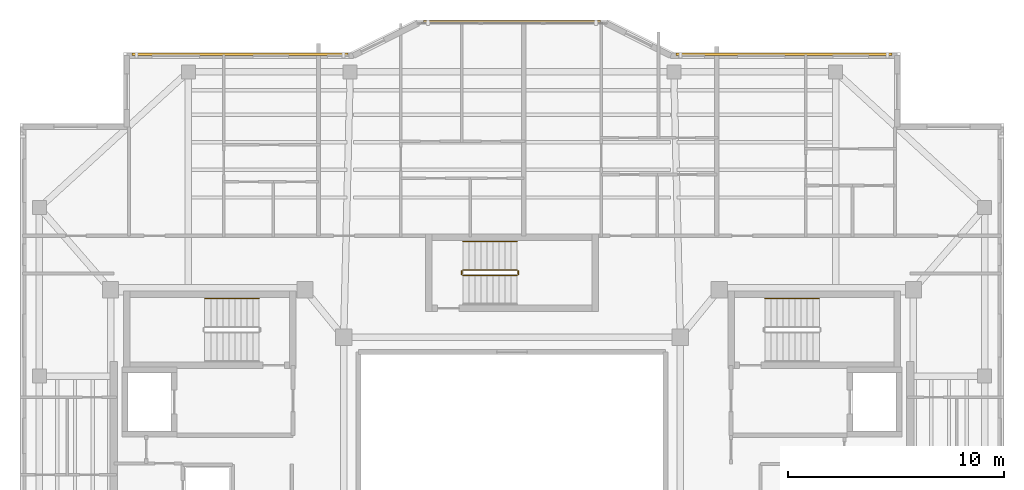
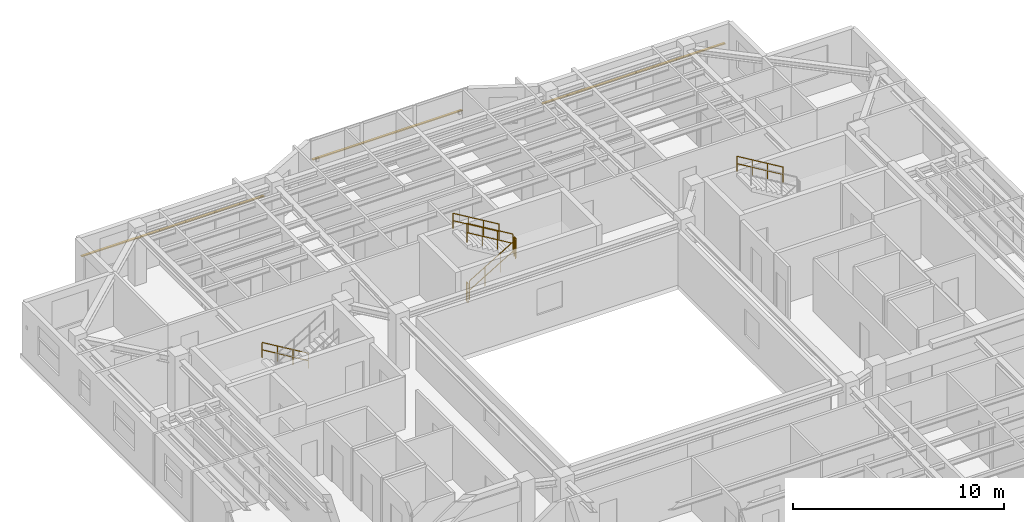
# One storey, part 15 of 15: 7 railings, 3 shading devices.
"""IFC4 building model written with IfcOpenShell, lengths in metres."""

from ifc_helpers import new_model, si_unit, direction, frame, origin, origin_2d, place, context, subcontext, project, spatial, rectangle, circle, extrude, material, material_profile, profile_set, type_object, element, save


model = new_model("IFC4")

# Units and contexts
model_context = context("Model", 3, precision=1e-05, world=origin(), true_north=direction((0.0, 1.0)))
body_context = subcontext(model_context, "Body", "Model", "MODEL_VIEW")
ifc_project = project(units=[si_unit("LENGTHUNIT", "METRE"), si_unit("AREAUNIT", "SQUARE_METRE"), si_unit("VOLUMEUNIT", "CUBIC_METRE"), si_unit("PLANEANGLEUNIT", "RADIAN"), si_unit("MASSUNIT", "GRAM", prefix="KILO")], contexts=[model_context])

# Site, building, storey
site_placement = place(None, origin())
site = spatial("IfcSite", under=ifc_project, at=site_placement, CompositionType="ELEMENT")
building_placement = place(site_placement, origin())
building = spatial("IfcBuilding", under=site, at=building_placement, Name="Tarnavaz Court Tower", CompositionType="ELEMENT")
storey_placement = place(building_placement, frame((0.0, 0.0, 268.300048828125)))
storey = spatial("IfcBuildingStorey", under=building, at=storey_placement, Name="L73", CompositionType="ELEMENT", Elevation=268.300048828125)

# Railings
ifc_material_1 = material(Name="Brushed Stainless Steel", Category="steel")
railing_type_1 = type_object("IfcRailingType", Name="RL-HANDRAIL-900", PredefinedType="HANDRAIL", material=ifc_material_1)
railing_1_placement = place(storey_placement, frame((-11.719970703125, 9.590087890625, 0.16748046875)))
element("IfcRailing", 1, at=railing_1_placement, inside=storey, type_object=railing_type_1, Name="L73 ST-W1 stair handrail 1", PredefinedType="HANDRAIL", context=body_context, shape_type="SweptSolid", body=[
    extrude(circle(Radius=0.02392578125, at=origin_2d()), frame((0.0, 0.0, 0.8759765625), z_axis=(-0.858159760407, 0.0, 0.513382728203), x_axis=(0.0, -1.0, 0.0)), (0.0, 0.0, 1.0), 2.9365234375),
    extrude(circle(Radius=0.02392578125, at=origin_2d()), frame((0.0, 0.0, 0.449951171875), z_axis=(-0.858159760407, 0.0, 0.513382728203), x_axis=(0.0, -1.0, 0.0)), (0.0, 0.0, 1.0), 2.9365234375),
    extrude(circle(Radius=0.02099609375, at=origin_2d()), origin(), (0.0, 0.0, 1.0), 0.851806640625),
    extrude(circle(Radius=0.02099609375, at=origin_2d()), frame((-0.840087890625, 0.0, 0.50244140625)), (0.0, 0.0, 1.0), 0.851806640625),
    extrude(circle(Radius=0.02099609375, at=origin_2d()), frame((-1.679931640625, 0.0, 1.005126953125)), (0.0, 0.0, 1.0), 0.851806640625),
    extrude(circle(Radius=0.02099609375, at=origin_2d()), frame((-2.52001953125, 0.0, 1.507568359375)), (0.0, 0.0, 1.0), 0.851806640625),
])
for number, where, name in (
    (2, (14.239990234375, 9.590087890625, 1.842529296875), "L73 ST-E1 stair handrail 2"),
    (3, (0.239990234375, 12.239990234375, 1.842529296875), "L73 ST-N1 stair handrail 2"),
):
    element("IfcRailing", number, at=place(storey_placement, frame(where)), inside=storey, type_object=railing_type_1, Name=name, PredefinedType="HANDRAIL", context=body_context, shape_type="SweptSolid", body=[
        extrude(circle(Radius=0.02392578125, at=origin_2d()), frame((0.0, 0.0, 0.8759765625), z_axis=(-0.858196387827, 0.0, 0.513321497621), x_axis=(0.0, -1.0, 0.0)), (0.0, 0.0, 1.0), 2.9365234375),
        extrude(circle(Radius=0.02392578125, at=origin_2d()), frame((0.0, 0.0, 0.449951171875), z_axis=(-0.858196387827, 0.0, 0.513321497621), x_axis=(0.0, -1.0, 0.0)), (0.0, 0.0, 1.0), 2.9365234375),
        extrude(circle(Radius=0.02099609375, at=origin_2d()), origin(), (0.0, 0.0, 1.0), 0.851806640625),
        extrude(circle(Radius=0.02099609375, at=origin_2d()), frame((-0.840087890625, 0.0, 0.50244140625)), (0.0, 0.0, 1.0), 0.851806640625),
        extrude(circle(Radius=0.02099609375, at=origin_2d()), frame((-1.679931640625, 0.0, 1.0048828125)), (0.0, 0.0, 1.0), 0.851806640625),
        extrude(circle(Radius=0.02099609375, at=origin_2d()), frame((-2.52001953125, 0.0, 1.50732421875)), (0.0, 0.0, 1.0), 0.851806640625),
    ])
ifc_material_2 = material(Name="Galvanized Painted Tubular Steel", Category="steel")
railing_type_2 = type_object("IfcRailingType", Name="RL-STGUARD-1120", PredefinedType="GUARDRAIL", material=ifc_material_2)
railing_2_placement = place(storey_placement, frame((-2.280029296875, 10.669921875, 0.16748046875)))
element("IfcRailing", 4, at=railing_2_placement, inside=storey, type_object=railing_type_2, Name="L73 ST-N1 stair guard 1", PredefinedType="GUARDRAIL", context=body_context, shape_type="SweptSolid", body=[
    extrude(circle(Radius=0.02392578125, at=origin_2d()), frame((0.0, 0.0, 1.09619140625), z_axis=(0.858159760407, 0.0, 0.513382728203), x_axis=(0.0, 1.0, 0.0)), (0.0, 0.0, 1.0), 2.9365234375),
    extrude(circle(Radius=0.02392578125, at=origin_2d()), frame((0.0, 0.0, 0.56005859375), z_axis=(0.858159760407, 0.0, 0.513382728203), x_axis=(0.0, 1.0, 0.0)), (0.0, 0.0, 1.0), 2.9365234375),
    extrude(circle(Radius=0.02099609375, at=origin_2d()), origin(), (0.0, 0.0, 1.0), 1.072021484375),
    extrude(circle(Radius=0.02099609375, at=origin_2d()), frame((0.840087890625, 0.0, 0.50244140625)), (0.0, 0.0, 1.0), 1.072021484375),
    extrude(circle(Radius=0.02099609375, at=origin_2d()), frame((1.679931640625, 0.0, 1.005126953125)), (0.0, 0.0, 1.0), 1.072021484375),
    extrude(circle(Radius=0.02099609375, at=origin_2d()), frame((2.52001953125, 0.0, 1.507568359375)), (0.0, 0.0, 1.0), 1.072021484375),
])
railing_3_placement = place(storey_placement, frame((0.2900390625, 10.719970703125, 1.675048828125)))
element("IfcRailing", 5, at=railing_3_placement, inside=storey, type_object=railing_type_2, Name="L73 ST-N1 stair guard 2", PredefinedType="GUARDRAIL", context=body_context, shape_type="SweptSolid", body=[
    extrude(circle(Radius=0.02392578125, at=origin_2d()), frame((0.0, 0.0, 1.09619140625), z_axis=(0.0, 1.0, 0.0), x_axis=(-1.0, 0.0, 0.0)), (0.0, 0.0, 1.0), 0.150146484375),
    extrude(circle(Radius=0.02392578125, at=origin_2d()), frame((0.0, 0.0, 0.56005859375), z_axis=(0.0, 1.0, 0.0), x_axis=(-1.0, 0.0, 0.0)), (0.0, 0.0, 1.0), 0.150146484375),
    extrude(circle(Radius=0.02099609375, at=origin_2d()), origin(), (0.0, 0.0, 1.0), 1.072021484375),
    extrude(circle(Radius=0.02099609375, at=origin_2d()), frame((0.0, 0.150146484375, 0.0)), (0.0, 0.0, 1.0), 1.072021484375),
])
railing_4_placement = place(storey_placement, frame((0.239990234375, 10.919921875, 1.842529296875)))
element("IfcRailing", 6, at=railing_4_placement, inside=storey, type_object=railing_type_2, Name="L73 ST-N1 stair guard 3", PredefinedType="GUARDRAIL", context=body_context, shape_type="SweptSolid", body=[
    extrude(circle(Radius=0.02392578125, at=origin_2d()), frame((0.0, 0.0, 1.09619140625), z_axis=(-0.858196387827, 0.0, 0.513321497621), x_axis=(0.0, -1.0, 0.0)), (0.0, 0.0, 1.0), 2.9365234375),
    extrude(circle(Radius=0.02392578125, at=origin_2d()), frame((0.0, 0.0, 0.56005859375), z_axis=(-0.858196387827, 0.0, 0.513321497621), x_axis=(0.0, -1.0, 0.0)), (0.0, 0.0, 1.0), 2.9365234375),
    extrude(circle(Radius=0.02099609375, at=origin_2d()), origin(), (0.0, 0.0, 1.0), 1.072021484375),
    extrude(circle(Radius=0.02099609375, at=origin_2d()), frame((-0.840087890625, 0.0, 0.50244140625)), (0.0, 0.0, 1.0), 1.072021484375),
    extrude(circle(Radius=0.02099609375, at=origin_2d()), frame((-1.679931640625, 0.0, 1.0048828125)), (0.0, 0.0, 1.0), 1.072021484375),
    extrude(circle(Radius=0.02099609375, at=origin_2d()), frame((-2.52001953125, 0.0, 1.50732421875)), (0.0, 0.0, 1.0), 1.072021484375),
])
railing_5_placement = place(storey_placement, frame((-2.330078125, 10.719970703125, 0.0)))
element("IfcRailing", 7, at=railing_5_placement, inside=storey, type_object=railing_type_2, Name="L73 ST-N1 stair guard 4", PredefinedType="GUARDRAIL", context=body_context, shape_type="SweptSolid", body=[
    extrude(circle(Radius=0.02392578125, at=origin_2d()), frame((0.0, 0.0, 1.09619140625), z_axis=(0.0, 1.0, 0.0), x_axis=(-1.0, 0.0, 0.0)), (0.0, 0.0, 1.0), 0.150146484375),
    extrude(circle(Radius=0.02392578125, at=origin_2d()), frame((0.0, 0.0, 0.56005859375), z_axis=(0.0, 1.0, 0.0), x_axis=(-1.0, 0.0, 0.0)), (0.0, 0.0, 1.0), 0.150146484375),
    extrude(circle(Radius=0.02099609375, at=origin_2d()), origin(), (0.0, 0.0, 1.0), 1.072021484375),
    extrude(circle(Radius=0.02099609375, at=origin_2d()), frame((0.0, 0.150146484375, 0.0)), (0.0, 0.0, 1.0), 1.072021484375),
])

# Shading devices
ifc_material_3 = material(Name="Kiln-Fired Khorasan Terracotta Ceramic", Category="masonry")
ifc_material_profile = material_profile(ifc_material_3, rectangle(XDim=0.1201171875, YDim=0.06005859375, at=origin_2d()), Name="TC BAGUETTE 120X60")
ifc_profile_set = profile_set([ifc_material_profile], Name="Kiln-Fired Khorasan Terracotta Ceramic")
shading_device_type = type_object("IfcShadingDeviceType", Name="SD-BAG-120", PredefinedType="USERDEFINED", material=ifc_profile_set)
shading_device_1_placement = place(storey_placement, frame((-17.60009765625, 20.909912109375, 1.849853515625), z_axis=(1.0, 0.0, 0.0), x_axis=(0.0, 1.0, 0.0)))
element("IfcShadingDevice", 8, at=shading_device_1_placement, inside=storey, type_object=shading_device_type, Name="L73 Terracotta Baguette Screen FBG05", ObjectType="BAGUETTE", PredefinedType="USERDEFINED", context=body_context, shape_type="SweptSolid", body=[
    extrude(rectangle(XDim=0.1201171875, YDim=0.06005859375, at=origin_2d()), origin(), (0.0, 0.0, 1.0), 10.0),
])
shading_device_2_placement = place(storey_placement, frame((-4.10009765625, 22.409912109375, 1.800048828125), z_axis=(1.0, 0.0, 0.0), x_axis=(0.0, 1.0, 0.0)))
element("IfcShadingDevice", 9, at=shading_device_2_placement, inside=storey, type_object=shading_device_type, Name="L73 Terracotta Baguette Screen PBG7", ObjectType="BAGUETTE", PredefinedType="USERDEFINED", context=body_context, shape_type="SweptSolid", body=[
    extrude(rectangle(XDim=0.1201171875, YDim=0.06005859375, at=origin_2d()), origin(), (0.0, 0.0, 1.0), 8.2001953125),
])
shading_device_3_placement = place(storey_placement, frame((7.60009765625, 20.909912109375, 1.849853515625), z_axis=(1.0, 0.0, 0.0), x_axis=(0.0, 1.0, 0.0)))
element("IfcShadingDevice", 10, at=shading_device_3_placement, inside=storey, type_object=shading_device_type, Name="L73 Terracotta Baguette Screen FBG09", ObjectType="BAGUETTE", PredefinedType="USERDEFINED", context=body_context, shape_type="SweptSolid", body=[
    extrude(rectangle(XDim=0.1201171875, YDim=0.06005859375, at=origin_2d()), origin(), (0.0, 0.0, 1.0), 10.0),
])

save(model, "model.ifc")
